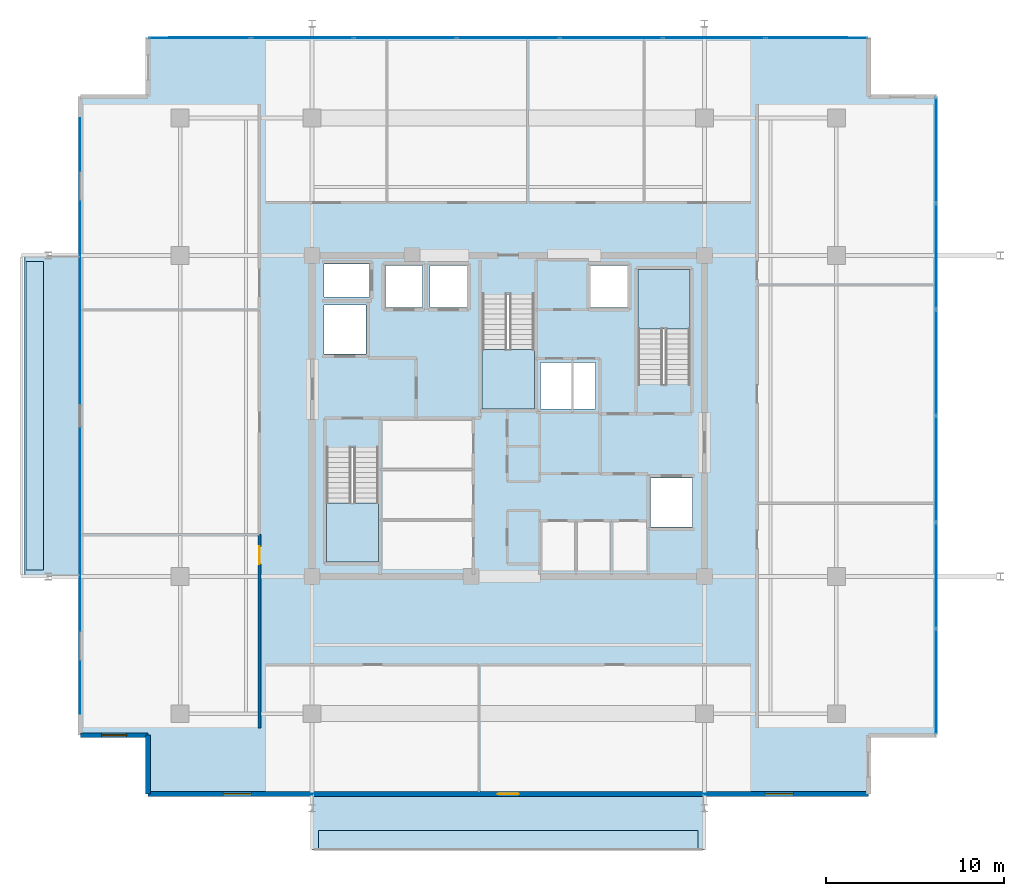
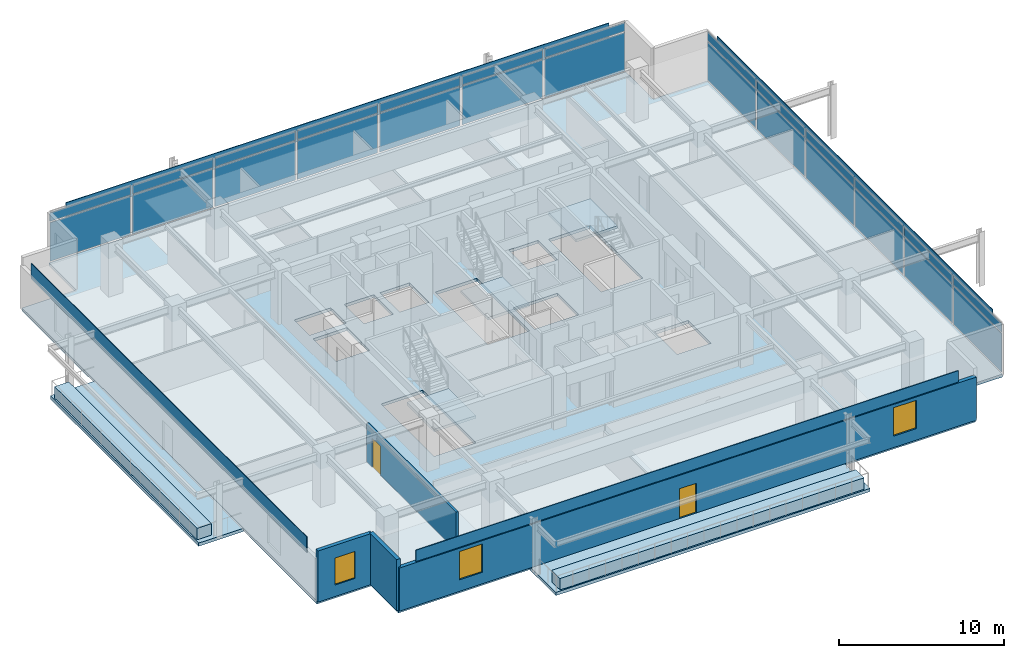
# One storey, part 12 of 20: 30 plates, 8 slabs, 4 walls, 3 windows, 2 doors, 5 openings, 5 elements without a shape of their own.
"""IFC4 building model written with IfcOpenShell, lengths in metres."""

import ifcopenshell
import ifcopenshell.guid

model = None  # the IFC model being written
_history = None  # IfcOwnerHistory: only IFC2X3 demands one
_inside = {}  # id of a spatial element -> (the spatial element, [elements in it])
_under = {}  # id of a project, library or spatial element -> (it, [spatial elements below it])
_declared = {}  # id of a project -> (the project, [libraries it declares])
_typed = {}  # id of a type object -> (the type object, [elements of that type])
_made_of = {}  # id of a material, layer set ... -> (it, [elements and type objects made of it])


def new_model(schema):
    """Start an empty IFC model of exactly this schema.

    Asked for "IFC4X3", IfcOpenShell would pick the latest addendum, in which some entities
    have other attributes; the version numbers below select the first issue.
    IFC2X3 requires an IfcOwnerHistory on every rooted entity: one is made here for all.
    """
    global model, _history
    if schema == "IFC4X3":
        model = ifcopenshell.file(schema_version=(4, 3, 0, 0))
    else:
        model = ifcopenshell.file(schema=schema)
    _inside.clear()
    _under.clear()
    _declared.clear()
    _typed.clear()
    _made_of.clear()
    _history = None
    if model.schema == "IFC2X3":
        org = make("IfcOrganization", Name="unknown")
        user = make(
            "IfcPersonAndOrganization",
            ThePerson=make("IfcPerson", FamilyName="unknown"),
            TheOrganization=org,
        )
        app = make(
            "IfcApplication",
            ApplicationDeveloper=org,
            Version="unknown",
            ApplicationFullName="unknown",
            ApplicationIdentifier="unknown",
        )
        _history = make(
            "IfcOwnerHistory",
            OwningUser=user,
            OwningApplication=app,
            ChangeAction="ADDED",
            CreationDate=0,
        )
    return model


def make(cls, **values):
    """One entity of the class cls with the attributes given. An attribute that is None is left unset."""
    return model.create_entity(
        cls, **{name: value for name, value in values.items() if value is not None}
    )


def rooted(cls, **values):
    """An entity with a GlobalId (a new one), such as an element, a storey or a relation."""
    return make(cls, GlobalId=ifcopenshell.guid.new(), OwnerHistory=_history, **values)


def si_unit(unit_type, name, prefix=None):
    """IfcSIUnit, for example si_unit("LENGTHUNIT", "METRE", prefix="MILLI")."""
    return make("IfcSIUnit", UnitType=unit_type, Prefix=prefix, Name=name)


def assignment(units):
    """IfcUnitAssignment: the units of a project."""
    return None if units is None else make("IfcUnitAssignment", Units=units)


def point(xyz):
    """IfcCartesianPoint."""
    return None if xyz is None else make("IfcCartesianPoint", Coordinates=xyz)


def direction(xyz):
    """IfcDirection."""
    return None if xyz is None else make("IfcDirection", DirectionRatios=xyz)


def frame(location, z_axis=None, x_axis=None):
    """IfcAxis2Placement3D, a coordinate frame: its origin and axes. An axis left out is left unset."""
    return make(
        "IfcAxis2Placement3D",
        Location=point(location),
        Axis=direction(z_axis),
        RefDirection=direction(x_axis),
    )


def frame_2d(location, x_axis=None):
    """IfcAxis2Placement2D, a coordinate frame in the plane: its origin and x axis."""
    return make(
        "IfcAxis2Placement2D", Location=point(location), RefDirection=direction(x_axis)
    )


def origin():
    """The frame at (0, 0, 0) with its axes left unset."""
    return frame((0.0, 0.0, 0.0))


def origin_2d():
    """The frame at (0, 0) in the plane with its x axis left unset."""
    return frame_2d((0.0, 0.0))


def place(relative_to, where):
    """IfcLocalPlacement: puts the frame where relative to a parent placement (None: the world)."""
    return make(
        "IfcLocalPlacement", PlacementRelTo=relative_to, RelativePlacement=where
    )


def context(
    kind, dimensions, precision=None, world=None, true_north=None, identifier=None
):
    """IfcGeometricRepresentationContext, for example the 3D "Model" context."""
    return make(
        "IfcGeometricRepresentationContext",
        ContextIdentifier=identifier,
        ContextType=kind,
        CoordinateSpaceDimension=dimensions,
        Precision=precision,
        WorldCoordinateSystem=world,
        TrueNorth=true_north,
    )


def subcontext(parent, identifier, kind, view, scale=None):
    """IfcGeometricRepresentationSubContext, for example "Body" below "Model"."""
    return make(
        "IfcGeometricRepresentationSubContext",
        ContextIdentifier=identifier,
        ContextType=kind,
        ParentContext=parent,
        TargetScale=scale,
        TargetView=view,
    )


def project(units=None, contexts=None):
    """IfcProject with its units and contexts."""
    return rooted(
        "IfcProject",
        Name="project",
        RepresentationContexts=contexts,
        UnitsInContext=assignment(units),
    )


def spatial(cls, under=None, at=None, **own):
    """A site, building, storey or space (cls), placed at a placement, below another one or the project."""
    s = rooted(cls, ObjectPlacement=at, **own)
    if under is not None:
        _under.setdefault(under.id(), (under, []))[1].append(s)
    return s


def polyline(points):
    """IfcPolyline through the points."""
    return make("IfcPolyline", Points=[point(p) for p in points])


def profile(cls, at=None, kind="AREA", **sizes):
    """A parametric profile (cls). Its sizes go by their IFC names, for example OverallWidth=200.0."""
    return make(cls, ProfileType=kind, Position=at, **sizes)


def rectangle(**sizes):
    """IfcRectangleProfileDef."""
    return profile("IfcRectangleProfileDef", **sizes)


def outline(outer, holes=None, kind="AREA"):
    """IfcArbitraryClosedProfileDef: a profile drawn as a closed curve; with holes, ...WithVoids."""
    if holes is None:
        return make("IfcArbitraryClosedProfileDef", ProfileType=kind, OuterCurve=outer)
    return make(
        "IfcArbitraryProfileDefWithVoids",
        ProfileType=kind,
        OuterCurve=outer,
        InnerCurves=holes,
    )


def extrude(swept, where, along, depth):
    """IfcExtrudedAreaSolid: the profile swept, set in the frame where, extruded along a direction by depth."""
    return make(
        "IfcExtrudedAreaSolid",
        SweptArea=swept,
        Position=where,
        ExtrudedDirection=direction(along),
        Depth=depth,
    )


def shape(context_of_items, identifier, shape_type, items):
    """IfcShapeRepresentation: the items that make up one representation, for example the "Body"."""
    return make(
        "IfcShapeRepresentation",
        ContextOfItems=context_of_items,
        RepresentationIdentifier=identifier,
        RepresentationType=shape_type,
        Items=items,
    )


def material(Name=None, Category=None):
    """IfcMaterial."""
    return make("IfcMaterial", Name=Name, Category=Category)


def layer(
    of_material, thickness, ventilated=None, Name=None, Category=None, Priority=None
):
    """IfcMaterialLayer: one layer of a wall or slab, of a material (None: an air gap)."""
    return make(
        "IfcMaterialLayer",
        Material=of_material,
        LayerThickness=thickness,
        IsVentilated=ventilated,
        Name=Name,
        Category=Category,
        Priority=Priority,
    )


def layer_set(layers, Name=None):
    """IfcMaterialLayerSet."""
    return make("IfcMaterialLayerSet", MaterialLayers=layers, LayerSetName=Name)


def made_of(thing, what):
    """Note that an element or type object is made of a material, layer set ...; save() writes the relation."""
    if what is not None:
        _made_of.setdefault(what.id(), (what, []))[1].append(thing)
    return thing


def type_object(cls, material=None, **own):
    """A type object (cls), such as IfcWallType, which elements share."""
    return made_of(rooted(cls, **own), material)


def element(
    cls,
    number,
    at=None,
    inside=None,
    cuts=None,
    type_object=None,
    material=None,
    context=None,
    identifier="Body",
    shape_type=None,
    held_by="IfcProductDefinitionShape",
    body=None,
    shapes=None,
    **own,
):
    """One element of the class cls, such as IfcWall. Its Tag is "e" and its number.

    at: its placement. inside: the storey or other place that contains it. cuts: it is an
    opening in that element (IfcRelVoidsElement). A single representation is given by context,
    identifier, shape_type and body (its items); several are given by shapes. held_by: the class
    of the entity that holds the representations. save() writes the other relations.
    """
    e = rooted(cls, Tag="e%d" % number, ObjectPlacement=at, **own)
    if body is not None:
        shapes = [shape(context, identifier, shape_type, body)]
    if shapes is not None:
        e.Representation = make(held_by, Representations=shapes)
    if inside is not None:
        _inside.setdefault(inside.id(), (inside, []))[1].append(e)
    if cuts is not None:
        rooted(
            "IfcRelVoidsElement", RelatingBuildingElement=cuts, RelatedOpeningElement=e
        )
    if type_object is not None:
        _typed.setdefault(type_object.id(), (type_object, []))[1].append(e)
    return made_of(e, material)


def fill(opening, filler):
    """IfcRelFillsElement: the door or window that sits in an opening."""
    return rooted(
        "IfcRelFillsElement",
        RelatingOpeningElement=opening,
        RelatedBuildingElement=filler,
    )


def aggregate(whole, parts):
    """IfcRelAggregates: a whole, such as a stair, and the parts it consists of."""
    return rooted("IfcRelAggregates", RelatingObject=whole, RelatedObjects=parts)


def save(model, path):
    """Write the relations noted so far, then the file.

    IfcRelAggregates (storeys below a building ...), IfcRelContainedInSpatialStructure (elements
    in a storey), IfcRelDefinesByType, IfcRelAssociatesMaterial and IfcRelDeclares: one each for
    every whole, place, type object, material and project.
    """
    for whole, parts in _under.values():
        aggregate(whole, parts)
    for where, things in _inside.values():
        rooted(
            "IfcRelContainedInSpatialStructure",
            RelatedElements=things,
            RelatingStructure=where,
        )
    for kind, things in _typed.values():
        rooted("IfcRelDefinesByType", RelatedObjects=things, RelatingType=kind)
    for what, things in _made_of.values():
        rooted("IfcRelAssociatesMaterial", RelatedObjects=things, RelatingMaterial=what)
    for by, libraries in _declared.values():
        rooted("IfcRelDeclares", RelatingContext=by, RelatedDefinitions=libraries)
    model.write(path)


model = new_model("IFC4")

# Units and contexts
model_context = context("Model", 3, precision=1e-05, world=origin(), true_north=direction((0.0, 1.0)))
body_context = subcontext(model_context, "Body", "Model", "MODEL_VIEW")
ifc_project = project(units=[si_unit("LENGTHUNIT", "METRE"), si_unit("AREAUNIT", "SQUARE_METRE"), si_unit("VOLUMEUNIT", "CUBIC_METRE"), si_unit("PLANEANGLEUNIT", "RADIAN"), si_unit("MASSUNIT", "GRAM", prefix="KILO")], contexts=[model_context])

# Site, building, storey
site_placement = place(None, origin())
site = spatial("IfcSite", under=ifc_project, at=site_placement, CompositionType="ELEMENT")
building_placement = place(site_placement, origin())
building = spatial("IfcBuilding", under=site, at=building_placement, Name="Kovane Verandah Tower", CompositionType="ELEMENT")
storey_placement = place(building_placement, frame((0.0, 0.0, 306.800048828125)))
storey = spatial("IfcBuildingStorey", under=building, at=storey_placement, Name="L71", CompositionType="ELEMENT", Elevation=306.800048828125)

# Curtain wall, plates
ifc_material_1 = material(Name="Champagne Anodised Aluminium Frame with Low-E Clear Laminated Glass", Category="aluminium")
curtain_wall_type = type_object("IfcCurtainWallType", Name="CW-SYS-05-HIGH", PredefinedType="NOTDEFINED", material=ifc_material_1)
curtain_wall_1_placement = place(storey_placement, origin())
curtain_wall_1 = element("IfcCurtainWall", 1, at=curtain_wall_1_placement, inside=storey, type_object=curtain_wall_type, Name="L71 E Unitised Curtain Wall", PredefinedType="NOTDEFINED")
ifc_material_2 = material(Name="Pale Champagne Anodised Aluminium Insulated Spandrel", Category="aluminium")
ifc_layer_1 = layer(ifc_material_2, 0.0400390625)
ifc_layer_set_1 = layer_set([ifc_layer_1], Name="Pale Champagne Anodised Aluminium Insulated Spandrel")
plate_type_1 = type_object("IfcPlateType", Name="PL-CW-SPD-40", PredefinedType="SHEET", material=ifc_layer_set_1)
plate_1_placement = place(storey_placement, frame((64.0, 12.583251953125, 3.05517578125), z_axis=(0.0, 0.0, 1.0), x_axis=(0.0, 1.0, 0.0)))
plate_1 = element("IfcPlate", 2, at=plate_1_placement, type_object=plate_type_1, Name="L71 E Unitised Curtain Wall Spandrel Panel 1", PredefinedType="SHEET", context=body_context, shape_type="SweptSolid", body=[
    extrude(rectangle(XDim=5.82666015625, YDim=0.0400390625, at=origin_2d()), origin(), (0.0, 0.0, 1.0), 0.639892578125),
])
plate_2_placement = place(storey_placement, frame((64.0, 18.550048828125, 3.05517578125), z_axis=(0.0, 0.0, 1.0), x_axis=(0.0, 1.0, 0.0)))
plate_2 = element("IfcPlate", 3, at=plate_2_placement, type_object=plate_type_1, Name="L71 E Unitised Curtain Wall Spandrel Panel 2", PredefinedType="SHEET", context=body_context, shape_type="SweptSolid", body=[
    extrude(rectangle(XDim=5.82666015625, YDim=0.0400390625, at=origin_2d()), origin(), (0.0, 0.0, 1.0), 0.639892578125),
])
plate_3_placement = place(storey_placement, frame((64.0, 24.5166015625, 3.05517578125), z_axis=(0.0, 0.0, 1.0), x_axis=(0.0, 1.0, 0.0)))
plate_3 = element("IfcPlate", 4, at=plate_3_placement, type_object=plate_type_1, Name="L71 E Unitised Curtain Wall Spandrel Panel 3", PredefinedType="SHEET", context=body_context, shape_type="SweptSolid", body=[
    extrude(rectangle(XDim=5.82666015625, YDim=0.0400390625, at=origin_2d()), origin(), (0.0, 0.0, 1.0), 0.639892578125),
])
plate_4_placement = place(storey_placement, frame((64.0, 30.4833984375, 3.05517578125), z_axis=(0.0, 0.0, 1.0), x_axis=(0.0, 1.0, 0.0)))
plate_4 = element("IfcPlate", 5, at=plate_4_placement, type_object=plate_type_1, Name="L71 E Unitised Curtain Wall Spandrel Panel 4", PredefinedType="SHEET", context=body_context, shape_type="SweptSolid", body=[
    extrude(rectangle(XDim=5.82666015625, YDim=0.0400390625, at=origin_2d()), origin(), (0.0, 0.0, 1.0), 0.639892578125),
])
plate_5_placement = place(storey_placement, frame((64.0, 36.449951171875, 3.05517578125), z_axis=(0.0, 0.0, 1.0), x_axis=(0.0, 1.0, 0.0)))
plate_5 = element("IfcPlate", 6, at=plate_5_placement, type_object=plate_type_1, Name="L71 E Unitised Curtain Wall Spandrel Panel 5", PredefinedType="SHEET", context=body_context, shape_type="SweptSolid", body=[
    extrude(rectangle(XDim=5.82666015625, YDim=0.0400390625, at=origin_2d()), origin(), (0.0, 0.0, 1.0), 0.639892578125),
])
plate_6_placement = place(storey_placement, frame((64.0, 42.416748046875, 3.05517578125), z_axis=(0.0, 0.0, 1.0), x_axis=(0.0, 1.0, 0.0)))
plate_6 = element("IfcPlate", 7, at=plate_6_placement, type_object=plate_type_1, Name="L71 E Unitised Curtain Wall Spandrel Panel 6", PredefinedType="SHEET", context=body_context, shape_type="SweptSolid", body=[
    extrude(rectangle(XDim=5.82666015625, YDim=0.0400390625, at=origin_2d()), origin(), (0.0, 0.0, 1.0), 0.639892578125),
])

curtain_wall_2_placement = place(storey_placement, origin())
curtain_wall_2 = element("IfcCurtainWall", 8, at=curtain_wall_2_placement, inside=storey, type_object=curtain_wall_type, Name="L71 N Unitised Curtain Wall", PredefinedType="NOTDEFINED")
plate_7_placement = place(storey_placement, frame((57.314208984375, 48.699951171875, 3.05517578125), z_axis=(0.0, 0.0, 1.0), x_axis=(-1.0, 0.0, 0.0)))
plate_7 = element("IfcPlate", 9, at=plate_7_placement, type_object=plate_type_1, Name="L71 N Unitised Curtain Wall Spandrel Panel 1", PredefinedType="SHEET", context=body_context, shape_type="SweptSolid", body=[
    extrude(rectangle(XDim=5.63134765625, YDim=0.0400390625, at=origin_2d()), origin(), (0.0, 0.0, 1.0), 0.639892578125),
])
plate_8_placement = place(storey_placement, frame((51.54296875, 48.699951171875, 3.05517578125), z_axis=(0.0, 0.0, 1.0), x_axis=(-1.0, 0.0, 0.0)))
plate_8 = element("IfcPlate", 10, at=plate_8_placement, type_object=plate_type_1, Name="L71 N Unitised Curtain Wall Spandrel Panel 2", PredefinedType="SHEET", context=body_context, shape_type="SweptSolid", body=[
    extrude(rectangle(XDim=5.63134765625, YDim=0.0400390625, at=origin_2d()), origin(), (0.0, 0.0, 1.0), 0.639892578125),
])
plate_9_placement = place(storey_placement, frame((45.771484375, 48.699951171875, 3.05517578125), z_axis=(0.0, 0.0, 1.0), x_axis=(-1.0, 0.0, 0.0)))
plate_9 = element("IfcPlate", 11, at=plate_9_placement, type_object=plate_type_1, Name="L71 N Unitised Curtain Wall Spandrel Panel 3", PredefinedType="SHEET", context=body_context, shape_type="SweptSolid", body=[
    extrude(rectangle(XDim=5.63134765625, YDim=0.0400390625, at=origin_2d()), origin(), (0.0, 0.0, 1.0), 0.639892578125),
])
plate_10_placement = place(storey_placement, frame((40.0, 48.699951171875, 3.05517578125), z_axis=(0.0, 0.0, 1.0), x_axis=(-1.0, 0.0, 0.0)))
plate_10 = element("IfcPlate", 12, at=plate_10_placement, type_object=plate_type_1, Name="L71 N Unitised Curtain Wall Spandrel Panel 4", PredefinedType="SHEET", context=body_context, shape_type="SweptSolid", body=[
    extrude(rectangle(XDim=5.63134765625, YDim=0.0400390625, at=origin_2d()), origin(), (0.0, 0.0, 1.0), 0.639892578125),
])
plate_11_placement = place(storey_placement, frame((34.228515625, 48.699951171875, 3.05517578125), z_axis=(0.0, 0.0, 1.0), x_axis=(-1.0, 0.0, 0.0)))
plate_11 = element("IfcPlate", 13, at=plate_11_placement, type_object=plate_type_1, Name="L71 N Unitised Curtain Wall Spandrel Panel 5", PredefinedType="SHEET", context=body_context, shape_type="SweptSolid", body=[
    extrude(rectangle(XDim=5.63134765625, YDim=0.0400390625, at=origin_2d()), origin(), (0.0, 0.0, 1.0), 0.639892578125),
])
plate_12_placement = place(storey_placement, frame((28.45703125, 48.699951171875, 3.05517578125), z_axis=(0.0, 0.0, 1.0), x_axis=(-1.0, 0.0, 0.0)))
plate_12 = element("IfcPlate", 14, at=plate_12_placement, type_object=plate_type_1, Name="L71 N Unitised Curtain Wall Spandrel Panel 6", PredefinedType="SHEET", context=body_context, shape_type="SweptSolid", body=[
    extrude(rectangle(XDim=5.63134765625, YDim=0.0400390625, at=origin_2d()), origin(), (0.0, 0.0, 1.0), 0.639892578125),
])
plate_13_placement = place(storey_placement, frame((22.685791015625, 48.699951171875, 3.05517578125), z_axis=(0.0, 0.0, 1.0), x_axis=(-1.0, 0.0, 0.0)))
plate_13 = element("IfcPlate", 15, at=plate_13_placement, type_object=plate_type_1, Name="L71 N Unitised Curtain Wall Spandrel Panel 7", PredefinedType="SHEET", context=body_context, shape_type="SweptSolid", body=[
    extrude(rectangle(XDim=5.63134765625, YDim=0.0400390625, at=origin_2d()), origin(), (0.0, 0.0, 1.0), 0.639892578125),
])

# Plate
ifc_material_3 = material(Name="Clear Low-E Laminated Double Glazing", Category="glass")
ifc_layer_2 = layer(ifc_material_3, 0.031982421875)
ifc_layer_set_2 = layer_set([ifc_layer_2], Name="Clear Low-E Laminated Double Glazing")
plate_type_2 = type_object("IfcPlateType", Name="PL-CW-VIS-32", PredefinedType="CURTAIN_PANEL", material=ifc_layer_set_2)
plate_14_placement = place(storey_placement, frame((64.0, 12.583251953125, 0.099853515625), z_axis=(0.0, 0.0, 1.0), x_axis=(0.0, 1.0, 0.0)))
plate_14 = element("IfcPlate", 16, at=plate_14_placement, type_object=plate_type_2, Name="L71 E Unitised Curtain Wall Vision Panel 1", PredefinedType="CURTAIN_PANEL", context=body_context, shape_type="SweptSolid", body=[
    extrude(rectangle(XDim=5.82666015625, YDim=0.031982421875, at=origin_2d()), origin(), (0.0, 0.0, 1.0), 2.85498046875),
])

plate_15_placement = place(storey_placement, frame((64.0, 18.550048828125, 0.099853515625), z_axis=(0.0, 0.0, 1.0), x_axis=(0.0, 1.0, 0.0)))
plate_15 = element("IfcPlate", 17, at=plate_15_placement, type_object=plate_type_2, Name="L71 E Unitised Curtain Wall Vision Panel 2", PredefinedType="CURTAIN_PANEL", context=body_context, shape_type="SweptSolid", body=[
    extrude(rectangle(XDim=5.82666015625, YDim=0.031982421875, at=origin_2d()), origin(), (0.0, 0.0, 1.0), 2.85498046875),
])

plate_16_placement = place(storey_placement, frame((64.0, 24.5166015625, 0.099853515625), z_axis=(0.0, 0.0, 1.0), x_axis=(0.0, 1.0, 0.0)))
plate_16 = element("IfcPlate", 18, at=plate_16_placement, type_object=plate_type_2, Name="L71 E Unitised Curtain Wall Vision Panel 3", PredefinedType="CURTAIN_PANEL", context=body_context, shape_type="SweptSolid", body=[
    extrude(rectangle(XDim=5.82666015625, YDim=0.031982421875, at=origin_2d()), origin(), (0.0, 0.0, 1.0), 2.85498046875),
])

plate_17_placement = place(storey_placement, frame((64.0, 30.4833984375, 0.099853515625), z_axis=(0.0, 0.0, 1.0), x_axis=(0.0, 1.0, 0.0)))
plate_17 = element("IfcPlate", 19, at=plate_17_placement, type_object=plate_type_2, Name="L71 E Unitised Curtain Wall Vision Panel 4", PredefinedType="CURTAIN_PANEL", context=body_context, shape_type="SweptSolid", body=[
    extrude(rectangle(XDim=5.82666015625, YDim=0.031982421875, at=origin_2d()), origin(), (0.0, 0.0, 1.0), 2.85498046875),
])

plate_18_placement = place(storey_placement, frame((64.0, 36.449951171875, 0.099853515625), z_axis=(0.0, 0.0, 1.0), x_axis=(0.0, 1.0, 0.0)))
plate_18 = element("IfcPlate", 20, at=plate_18_placement, type_object=plate_type_2, Name="L71 E Unitised Curtain Wall Vision Panel 5", PredefinedType="CURTAIN_PANEL", context=body_context, shape_type="SweptSolid", body=[
    extrude(rectangle(XDim=5.82666015625, YDim=0.031982421875, at=origin_2d()), origin(), (0.0, 0.0, 1.0), 2.85498046875),
])

plate_19_placement = place(storey_placement, frame((64.0, 42.416748046875, 0.099853515625), z_axis=(0.0, 0.0, 1.0), x_axis=(0.0, 1.0, 0.0)))
plate_19 = element("IfcPlate", 21, at=plate_19_placement, type_object=plate_type_2, Name="L71 E Unitised Curtain Wall Vision Panel 6", PredefinedType="CURTAIN_PANEL", context=body_context, shape_type="SweptSolid", body=[
    extrude(rectangle(XDim=5.82666015625, YDim=0.031982421875, at=origin_2d()), origin(), (0.0, 0.0, 1.0), 2.85498046875),
])

aggregate(curtain_wall_1, [plate_14, plate_1, plate_15, plate_2, plate_16, plate_3, plate_17, plate_4, plate_18, plate_5, plate_19, plate_6])

plate_20_placement = place(storey_placement, frame((57.314208984375, 48.699951171875, 0.099853515625), z_axis=(0.0, 0.0, 1.0), x_axis=(-1.0, 0.0, 0.0)))
plate_20 = element("IfcPlate", 22, at=plate_20_placement, type_object=plate_type_2, Name="L71 N Unitised Curtain Wall Vision Panel 1", PredefinedType="CURTAIN_PANEL", context=body_context, shape_type="SweptSolid", body=[
    extrude(rectangle(XDim=5.63134765625, YDim=0.031982421875, at=origin_2d()), origin(), (0.0, 0.0, 1.0), 2.85498046875),
])

plate_21_placement = place(storey_placement, frame((51.54296875, 48.699951171875, 0.099853515625), z_axis=(0.0, 0.0, 1.0), x_axis=(-1.0, 0.0, 0.0)))
plate_21 = element("IfcPlate", 23, at=plate_21_placement, type_object=plate_type_2, Name="L71 N Unitised Curtain Wall Vision Panel 2", PredefinedType="CURTAIN_PANEL", context=body_context, shape_type="SweptSolid", body=[
    extrude(rectangle(XDim=5.63134765625, YDim=0.031982421875, at=origin_2d()), origin(), (0.0, 0.0, 1.0), 2.85498046875),
])

plate_22_placement = place(storey_placement, frame((45.771484375, 48.699951171875, 0.099853515625), z_axis=(0.0, 0.0, 1.0), x_axis=(-1.0, 0.0, 0.0)))
plate_22 = element("IfcPlate", 24, at=plate_22_placement, type_object=plate_type_2, Name="L71 N Unitised Curtain Wall Vision Panel 3", PredefinedType="CURTAIN_PANEL", context=body_context, shape_type="SweptSolid", body=[
    extrude(rectangle(XDim=5.63134765625, YDim=0.031982421875, at=origin_2d()), origin(), (0.0, 0.0, 1.0), 2.85498046875),
])

plate_23_placement = place(storey_placement, frame((40.0, 48.699951171875, 0.099853515625), z_axis=(0.0, 0.0, 1.0), x_axis=(-1.0, 0.0, 0.0)))
plate_23 = element("IfcPlate", 25, at=plate_23_placement, type_object=plate_type_2, Name="L71 N Unitised Curtain Wall Vision Panel 4", PredefinedType="CURTAIN_PANEL", context=body_context, shape_type="SweptSolid", body=[
    extrude(rectangle(XDim=5.63134765625, YDim=0.031982421875, at=origin_2d()), origin(), (0.0, 0.0, 1.0), 2.85498046875),
])

plate_24_placement = place(storey_placement, frame((34.228515625, 48.699951171875, 0.099853515625), z_axis=(0.0, 0.0, 1.0), x_axis=(-1.0, 0.0, 0.0)))
plate_24 = element("IfcPlate", 26, at=plate_24_placement, type_object=plate_type_2, Name="L71 N Unitised Curtain Wall Vision Panel 5", PredefinedType="CURTAIN_PANEL", context=body_context, shape_type="SweptSolid", body=[
    extrude(rectangle(XDim=5.63134765625, YDim=0.031982421875, at=origin_2d()), origin(), (0.0, 0.0, 1.0), 2.85498046875),
])

plate_25_placement = place(storey_placement, frame((28.45703125, 48.699951171875, 0.099853515625), z_axis=(0.0, 0.0, 1.0), x_axis=(-1.0, 0.0, 0.0)))
plate_25 = element("IfcPlate", 27, at=plate_25_placement, type_object=plate_type_2, Name="L71 N Unitised Curtain Wall Vision Panel 6", PredefinedType="CURTAIN_PANEL", context=body_context, shape_type="SweptSolid", body=[
    extrude(rectangle(XDim=5.63134765625, YDim=0.031982421875, at=origin_2d()), origin(), (0.0, 0.0, 1.0), 2.85498046875),
])

plate_26_placement = place(storey_placement, frame((22.685791015625, 48.699951171875, 0.099853515625), z_axis=(0.0, 0.0, 1.0), x_axis=(-1.0, 0.0, 0.0)))
plate_26 = element("IfcPlate", 28, at=plate_26_placement, type_object=plate_type_2, Name="L71 N Unitised Curtain Wall Vision Panel 7", PredefinedType="CURTAIN_PANEL", context=body_context, shape_type="SweptSolid", body=[
    extrude(rectangle(XDim=5.63134765625, YDim=0.031982421875, at=origin_2d()), origin(), (0.0, 0.0, 1.0), 2.85498046875),
])

aggregate(curtain_wall_2, [plate_20, plate_7, plate_21, plate_8, plate_22, plate_9, plate_23, plate_10, plate_24, plate_11, plate_25, plate_12, plate_26, plate_13])

# Plates
ifc_material_4 = material(Name="Perforated Pale Champagne Anodised Aluminium Solar Screen", Category="aluminium")
ifc_layer_3 = layer(ifc_material_4, 0.050048828125)
ifc_layer_set_3 = layer_set([ifc_layer_3], Name="Perforated Pale Champagne Anodised Aluminium Solar Screen")
plate_type_3 = type_object("IfcPlateType", Name="PL-SCREEN-50", PredefinedType="USERDEFINED", material=ifc_layer_set_3)
plate_27_placement = place(storey_placement, frame((40.0, 6.284912109375, 2.885009765625), z_axis=(0.0, 0.0, 1.0), x_axis=(1.0, 0.0, 0.0)))
element("IfcPlate", 29, at=plate_27_placement, inside=storey, type_object=plate_type_3, Name="L71 S Perforated Champagne-Gold Solar Screen", ObjectType="SCREEN", PredefinedType="USERDEFINED", context=body_context, shape_type="SweptSolid", body=[
    extrude(rectangle(XDim=38.0, YDim=0.050048828125, at=origin_2d()), origin(), (0.0, 0.0, 1.0), 1.14990234375),
])
plate_28_placement = place(storey_placement, frame((64.014892578125, 27.5, 2.885009765625), z_axis=(0.0, 0.0, 1.0), x_axis=(0.0, 1.0, 0.0)))
element("IfcPlate", 30, at=plate_28_placement, inside=storey, type_object=plate_type_3, Name="L71 E Perforated Champagne-Gold Solar Screen", ObjectType="SCREEN", PredefinedType="USERDEFINED", context=body_context, shape_type="SweptSolid", body=[
    extrude(rectangle(XDim=33.39990234375, YDim=0.050048828125, at=origin_2d()), origin(), (0.0, 0.0, 1.0), 1.14990234375),
])
plate_29_placement = place(storey_placement, frame((40.0, 48.715087890625, 2.885009765625), z_axis=(0.0, 0.0, 1.0), x_axis=(-1.0, 0.0, 0.0)))
element("IfcPlate", 31, at=plate_29_placement, inside=storey, type_object=plate_type_3, Name="L71 N Perforated Champagne-Gold Solar Screen", ObjectType="SCREEN", PredefinedType="USERDEFINED", context=body_context, shape_type="SweptSolid", body=[
    extrude(rectangle(XDim=38.0, YDim=0.050048828125, at=origin_2d()), origin(), (0.0, 0.0, 1.0), 1.14990234375),
])
plate_30_placement = place(storey_placement, frame((15.985107421875, 27.5, 2.885009765625), z_axis=(0.0, 0.0, 1.0), x_axis=(0.0, -1.0, 0.0)))
element("IfcPlate", 32, at=plate_30_placement, inside=storey, type_object=plate_type_3, Name="L71 W Perforated Champagne-Gold Solar Screen", ObjectType="SCREEN", PredefinedType="USERDEFINED", context=body_context, shape_type="SweptSolid", body=[
    extrude(rectangle(XDim=33.39990234375, YDim=0.050048828125, at=origin_2d()), origin(), (0.0, 0.0, 1.0), 1.14990234375),
])

# Slabs
ifc_material_5 = material(Name="Concrete C45/55", Category="concrete")
ifc_layer_4 = layer(ifc_material_5, 0.239990234375)
ifc_layer_set_4 = layer_set([ifc_layer_4], Name="Concrete C45/55")
slab_type_1 = type_object("IfcSlabType", Name="SL-BALC-240", PredefinedType="FLOOR", material=ifc_layer_set_4)
slab_1_placement = place(storey_placement, frame((0.0, 0.0, -0.239990234375)))
element("IfcSlab", 33, at=slab_1_placement, inside=storey, type_object=slab_type_1, Name="L71 S Planted Verandah Balcony Slab", PredefinedType="FLOOR", context=body_context, shape_type="SweptSolid", body=[
    extrude(outline(polyline([(29.0, 3.14990234375), (51.0, 3.14990234375), (51.0, 6.300048828125), (29.0, 6.300048828125), (29.0, 3.14990234375)])), origin(), (0.0, 0.0, 1.0), 0.239990234375),
])
slab_2_placement = place(storey_placement, frame((0.0, 0.0, -0.239990234375)))
element("IfcSlab", 34, at=slab_2_placement, inside=storey, type_object=slab_type_1, Name="L71 W Planted Verandah Balcony Slab", PredefinedType="FLOOR", context=body_context, shape_type="SweptSolid", body=[
    extrude(outline(polyline([(12.85009765625, 18.5), (16.0, 18.5), (16.0, 36.5), (12.85009765625, 36.5), (12.85009765625, 18.5)])), origin(), (0.0, 0.0, 1.0), 0.239990234375),
])
ifc_layer_5 = layer(ifc_material_5, 0.215087890625)
ifc_layer_set_5 = layer_set([ifc_layer_5], Name="Concrete C45/55")
slab_type_2 = type_object("IfcSlabType", Name="SL-HIGH-215", PredefinedType="FLOOR", material=ifc_layer_set_5)
slab_3_placement = place(storey_placement, frame((0.0, 0.0, -0.215087890625)))
element("IfcSlab", 35, at=slab_3_placement, inside=storey, type_object=slab_type_2, Name="L71 Structural Floor Slab", PredefinedType="FLOOR", context=body_context, shape_type="SweptSolid", body=[
    extrude(outline(polyline([(19.800048828125, 6.300048828125), (60.199951171875, 6.300048828125), (60.199951171875, 9.60009765625), (64.0, 9.60009765625), (64.0, 45.39990234375), (60.199951171875, 45.39990234375), (60.199951171875, 48.699951171875), (19.800048828125, 48.699951171875), (19.800048828125, 45.39990234375), (16.0, 45.39990234375), (16.0, 9.60009765625), (19.800048828125, 9.60009765625), (19.800048828125, 6.300048828125)]), holes=[polyline([(29.800048828125, 19.300048828125), (32.719970703125, 19.300048828125), (32.719970703125, 25.705078125), (29.800048828125, 25.705078125), (29.800048828125, 19.300048828125)]), polyline([(47.280029296875, 29.294921875), (50.199951171875, 29.294921875), (50.199951171875, 35.699951171875), (47.280029296875, 35.699951171875), (47.280029296875, 29.294921875)]), polyline([(38.5400390625, 27.89990234375), (41.4599609375, 27.89990234375), (41.4599609375, 34.304931640625), (38.5400390625, 34.304931640625), (38.5400390625, 27.89990234375)]), polyline([(29.669921875, 30.969970703125), (32.030029296875, 30.969970703125), (32.030029296875, 33.72998046875), (29.669921875, 33.72998046875), (29.669921875, 30.969970703125)]), polyline([(47.969970703125, 21.27001953125), (50.330078125, 21.27001953125), (50.330078125, 24.030029296875), (47.969970703125, 24.030029296875), (47.969970703125, 21.27001953125)]), polyline([(29.669921875, 34.169921875), (32.22998046875, 34.169921875), (32.22998046875, 36.030029296875), (29.669921875, 36.030029296875), (29.669921875, 34.169921875)]), polyline([(33.1201171875, 33.570068359375), (35.179931640625, 33.570068359375), (35.179931640625, 35.929931640625), (33.1201171875, 35.929931640625), (33.1201171875, 33.570068359375)]), polyline([(35.6201171875, 33.570068359375), (37.679931640625, 33.570068359375), (37.679931640625, 35.929931640625), (35.6201171875, 35.929931640625), (35.6201171875, 33.570068359375)]), polyline([(44.6201171875, 33.570068359375), (46.679931640625, 33.570068359375), (46.679931640625, 35.929931640625), (44.6201171875, 35.929931640625), (44.6201171875, 33.570068359375)]), polyline([(41.800048828125, 27.89990234375), (44.89990234375, 27.89990234375), (44.89990234375, 30.5), (41.800048828125, 30.5), (41.800048828125, 27.89990234375)])]), origin(), (0.0, 0.0, 1.0), 0.215087890625),
])

# Stair, slab
stair_type = type_object("IfcStairType", Name="ST-CORE-1380", PredefinedType="HALF_TURN_STAIR", material=ifc_material_5)
stair_1_placement = place(storey_placement, origin())
stair_1 = element("IfcStair", 36, at=stair_1_placement, inside=storey, type_object=stair_type, Name="L71 Exit Stair ST-01", PredefinedType="HALF_TURN_STAIR")
ifc_layer_6 = layer(ifc_material_5, 0.199951171875)
ifc_layer_set_6 = layer_set([ifc_layer_6], Name="Concrete C45/55")
slab_type_3 = type_object("IfcSlabType", Name="SL-LAND-200", PredefinedType="LANDING", material=ifc_layer_set_6)
slab_4_placement = place(storey_placement, frame((0.0, 0.0, 1.800048828125)))
slab_4 = element("IfcSlab", 37, at=slab_4_placement, type_object=slab_type_3, Name="ST-01 landing 1", PredefinedType="LANDING", context=body_context, shape_type="SweptSolid", body=[
    extrude(outline(polyline([(29.800048828125, 22.614990234375), (29.800048828125, 19.300048828125), (32.719970703125, 19.300048828125), (32.719970703125, 22.614990234375), (29.800048828125, 22.614990234375)])), origin(), (0.0, 0.0, 1.0), 0.199951171875),
])
aggregate(stair_1, [slab_4])

stair_2_placement = place(storey_placement, origin())
stair_2 = element("IfcStair", 38, at=stair_2_placement, inside=storey, type_object=stair_type, Name="L71 Exit Stair ST-02", PredefinedType="HALF_TURN_STAIR")
slab_5_placement = place(storey_placement, frame((0.0, 0.0, 1.800048828125)))
slab_5 = element("IfcSlab", 39, at=slab_5_placement, type_object=slab_type_3, Name="ST-02 landing 1", PredefinedType="LANDING", context=body_context, shape_type="SweptSolid", body=[
    extrude(outline(polyline([(50.199951171875, 32.385009765625), (50.199951171875, 35.699951171875), (47.280029296875, 35.699951171875), (47.280029296875, 32.385009765625), (50.199951171875, 32.385009765625)])), origin(), (0.0, 0.0, 1.0), 0.199951171875),
])
aggregate(stair_2, [slab_5])

stair_3_placement = place(storey_placement, origin())
stair_3 = element("IfcStair", 40, at=stair_3_placement, inside=storey, type_object=stair_type, Name="L71 Exit Stair ST-03", PredefinedType="HALF_TURN_STAIR")
slab_6_placement = place(storey_placement, frame((0.0, 0.0, 1.800048828125)))
slab_6 = element("IfcSlab", 41, at=slab_6_placement, type_object=slab_type_3, Name="ST-03 landing 1", PredefinedType="LANDING", context=body_context, shape_type="SweptSolid", body=[
    extrude(outline(polyline([(38.5400390625, 31.215087890625), (38.5400390625, 27.89990234375), (41.4599609375, 27.89990234375), (41.4599609375, 31.215087890625), (38.5400390625, 31.215087890625)])), origin(), (0.0, 0.0, 1.0), 0.199951171875),
])
aggregate(stair_3, [slab_6])

# Slabs
ifc_material_6 = material(Name="Architectural Precast Concrete C45/55 Planter Trough", Category="concrete")
ifc_layer_7 = layer(ifc_material_6, 0.219970703125)
ifc_layer_set_7 = layer_set([ifc_layer_7], Name="Architectural Precast Concrete C45/55 Planter Trough")
slab_type_4 = type_object("IfcSlabType", Name="SL-PLANTER-220", PredefinedType="USERDEFINED", material=ifc_layer_set_7)
slab_7_placement = place(storey_placement, origin())
element("IfcSlab", 42, at=slab_7_placement, inside=storey, type_object=slab_type_4, Name="L71 S Structural Tree Planter", ObjectType="PLANTER", PredefinedType="USERDEFINED", context=body_context, shape_type="SweptSolid", body=[
    extrude(outline(polyline([(29.35009765625, 3.25), (50.64990234375, 3.25), (50.64990234375, 4.25), (29.35009765625, 4.25), (29.35009765625, 3.25)])), origin(), (0.0, 0.0, 1.0), 0.849853515625),
])
slab_8_placement = place(storey_placement, origin())
element("IfcSlab", 43, at=slab_8_placement, inside=storey, type_object=slab_type_4, Name="L71 W Structural Tree Planter", ObjectType="PLANTER", PredefinedType="USERDEFINED", context=body_context, shape_type="SweptSolid", body=[
    extrude(outline(polyline([(12.949951171875, 18.85009765625), (13.949951171875, 18.85009765625), (13.949951171875, 36.14990234375), (12.949951171875, 36.14990234375), (12.949951171875, 18.85009765625)])), origin(), (0.0, 0.0, 1.0), 0.849853515625),
])

# Wall, opening, door
ifc_material_7 = material(Name="Fire-Rated Gypsum Stud Partition", Category="gypsum")
ifc_layer_8 = layer(ifc_material_7, 0.14990234375)
ifc_layer_set_8 = layer_set([ifc_layer_8], Name="Fire-Rated Gypsum Stud Partition")
wall_type_1 = type_object("IfcWallType", Name="WL-COR-150", PredefinedType="PARTITIONING", material=ifc_layer_set_8)
wall_1_placement = place(storey_placement, frame((26.050048828125, 10.0, 0.0), z_axis=(0.0, 0.0, 1.0), x_axis=(0.0, 1.0, 0.0)))
wall_1 = element("IfcWall", 44, at=wall_1_placement, inside=storey, type_object=wall_type_1, Name="L71 Open Plan Office W1 Corridor Partition", PredefinedType="PARTITIONING", context=body_context, shape_type="SweptSolid", body=[
    extrude(rectangle(XDim=10.85009765625, YDim=0.14990234375, at=frame_2d((5.425048828125, 0.0))), origin(), (0.0, 0.0, 1.0), 2.849853515625),
])
opening_1_placement = place(wall_1_placement, frame((9.18994140625, 0.0, 0.0)))
opening_1 = element("IfcOpeningElement", 45, at=opening_1_placement, cuts=wall_1, Name="Opening DR-L71-033", PredefinedType="OPENING", context=body_context, shape_type="SweptSolid", body=[
    extrude(rectangle(XDim=1.0, YDim=2.14990234375, at=frame_2d((0.5, 1.074951171875))), frame((0.0, 0.074951171875, 0.0), z_axis=(0.0, -1.0, 0.0), x_axis=(1.0, 0.0, 0.0)), (0.0, 0.0, 1.0), 0.14990234375),
])
ifc_material_8 = material(Name="FSC Spotted-Gum Timber Fire-Rated Office Door", Category="wood")
door_type_1 = type_object("IfcDoorType", Name="DR-OFF-1000", OperationType="SINGLE_SWING_LEFT", PredefinedType="DOOR", material=ifc_material_8)
door_1_placement = place(opening_1_placement, origin())
door_1 = element("IfcDoor", 46, at=door_1_placement, inside=storey, type_object=door_type_1, Name="L71 Open Plan Office W1 Entrance Door", OperationType="SINGLE_SWING_LEFT", OverallHeight=2.14990234375, OverallWidth=1.0, PredefinedType="DOOR", context=body_context, shape_type="SweptSolid", body=[
    extrude(rectangle(XDim=1.0, YDim=2.14990234375, at=frame_2d((0.5, 1.074951171875))), frame((0.0, 0.02490234375, 0.0), z_axis=(0.0, -1.0, 0.0), x_axis=(1.0, 0.0, 0.0)), (0.0, 0.0, 1.0), 0.050048828125),
])
fill(opening_1, door_1)

# Wall, openings, door, windows
ifc_material_9 = material(Name="Concrete C45/55 Insulated Spandrel Wall", Category="concrete")
ifc_layer_9 = layer(ifc_material_9, 0.260009765625)
ifc_layer_set_9 = layer_set([ifc_layer_9], Name="Concrete C45/55 Insulated Spandrel Wall")
wall_type_2 = type_object("IfcWallType", Name="WL-SPANDREL-260", PredefinedType="PARAPET", material=ifc_layer_set_9)
wall_2_placement = place(storey_placement, frame((19.800048828125, 6.300048828125, 0.0), z_axis=(0.0, 0.0, 1.0), x_axis=(1.0, 0.0, 0.0)))
wall_2 = element("IfcWall", 47, at=wall_2_placement, inside=storey, type_object=wall_type_2, Name="L71 S Verandah Access Facade Wall", PredefinedType="PARAPET", context=body_context, shape_type="SweptSolid", body=[
    extrude(rectangle(XDim=40.39990234375, YDim=0.260009765625, at=frame_2d((20.199951171875, 0.0))), origin(), (0.0, 0.0, 1.0), 3.195556640625),
])
opening_2_placement = place(wall_2_placement, frame((4.199951171875, 0.0, 0.85009765625)))
opening_2 = element("IfcOpeningElement", 48, at=opening_2_placement, cuts=wall_2, Name="Opening W-02", PredefinedType="OPENING", context=body_context, shape_type="SweptSolid", body=[
    extrude(rectangle(XDim=1.60009765625, YDim=2.10009765625, at=frame_2d((0.800048828125, 1.050048828125))), frame((0.0, 0.1298828125, 0.0), z_axis=(0.0, -1.0, 0.0), x_axis=(1.0, 0.0, 0.0)), (0.0, 0.0, 1.0), 0.260009765625),
])
opening_3_placement = place(wall_2_placement, frame((19.60009765625, 0.0, 0.0)))
opening_3 = element("IfcOpeningElement", 49, at=opening_3_placement, cuts=wall_2, Name="Opening DR-L71-001", PredefinedType="OPENING", context=body_context, shape_type="SweptSolid", body=[
    extrude(rectangle(XDim=1.199951171875, YDim=2.199951171875, at=frame_2d((0.60009765625, 1.10009765625))), frame((0.0, 0.1298828125, 0.0), z_axis=(0.0, -1.0, 0.0), x_axis=(1.0, 0.0, 0.0)), (0.0, 0.0, 1.0), 0.260009765625),
])
opening_4_placement = place(wall_2_placement, frame((34.60009765625, 0.0, 0.85009765625)))
opening_4 = element("IfcOpeningElement", 50, at=opening_4_placement, cuts=wall_2, Name="Opening W-02", PredefinedType="OPENING", context=body_context, shape_type="SweptSolid", body=[
    extrude(rectangle(XDim=1.60009765625, YDim=2.10009765625, at=frame_2d((0.800048828125, 1.050048828125))), frame((0.0, 0.1298828125, 0.0), z_axis=(0.0, -1.0, 0.0), x_axis=(1.0, 0.0, 0.0)), (0.0, 0.0, 1.0), 0.260009765625),
])
ifc_material_10 = material(Name="Cyclone-Rated Glazed Balcony Leaf Door", Category="aluminium")
door_type_2 = type_object("IfcDoorType", Name="DR-BAL-1200x2200", OperationType="SINGLE_SWING_LEFT", PredefinedType="DOOR", material=ifc_material_10)
door_2_placement = place(opening_3_placement, origin())
door_2 = element("IfcDoor", 51, at=door_2_placement, inside=storey, type_object=door_type_2, Name="L71 S Planted Balcony Access Door", OperationType="SINGLE_SWING_LEFT", OverallHeight=2.199951171875, OverallWidth=1.199951171875, PredefinedType="DOOR", context=body_context, shape_type="SweptSolid", body=[
    extrude(rectangle(XDim=1.199951171875, YDim=2.199951171875, at=frame_2d((0.60009765625, 1.10009765625))), frame((0.0, 0.02490234375, 0.0), z_axis=(0.0, -1.0, 0.0), x_axis=(1.0, 0.0, 0.0)), (0.0, 0.0, 1.0), 0.050048828125),
])
fill(opening_3, door_2)
ifc_material_11 = material(Name="Clear Low-E Laminated Double Glazing in Anodised Frame", Category="glass")
window_type_1 = type_object("IfcWindowType", Name="WN-OPER-1600x2100", PartitioningType="SINGLE_PANEL", PredefinedType="WINDOW", material=ifc_material_11)
window_1_placement = place(opening_2_placement, origin())
window_1 = element("IfcWindow", 52, at=window_1_placement, inside=storey, type_object=window_type_1, Name="L71 S Verandah View Window 1", OverallHeight=2.10009765625, OverallWidth=1.60009765625, PartitioningType="SINGLE_PANEL", PredefinedType="WINDOW", context=body_context, shape_type="SweptSolid", body=[
    extrude(rectangle(XDim=1.60009765625, YDim=2.10009765625, at=frame_2d((0.800048828125, 1.050048828125))), frame((0.0, 0.030029296875, 0.0), z_axis=(0.0, -1.0, 0.0), x_axis=(1.0, 0.0, 0.0)), (0.0, 0.0, 1.0), 0.06005859375),
])
fill(opening_2, window_1)
window_2_placement = place(opening_4_placement, origin())
window_2 = element("IfcWindow", 53, at=window_2_placement, inside=storey, type_object=window_type_1, Name="L71 S Verandah View Window 2", OverallHeight=2.10009765625, OverallWidth=1.60009765625, PartitioningType="SINGLE_PANEL", PredefinedType="WINDOW", context=body_context, shape_type="SweptSolid", body=[
    extrude(rectangle(XDim=1.60009765625, YDim=2.10009765625, at=frame_2d((0.800048828125, 1.050048828125))), frame((0.0, 0.030029296875, 0.0), z_axis=(0.0, -1.0, 0.0), x_axis=(1.0, 0.0, 0.0)), (0.0, 0.0, 1.0), 0.06005859375),
])
fill(opening_4, window_2)

# Wall, opening, window
wall_3_placement = place(storey_placement, frame((16.0, 9.60009765625, 0.0), z_axis=(0.0, 0.0, 1.0), x_axis=(1.0, 0.0, 0.0)))
wall_3 = element("IfcWall", 54, at=wall_3_placement, inside=storey, type_object=wall_type_2, Name="L71 SW Notch Cheek Wall 1", PredefinedType="PARAPET", context=body_context, shape_type="SweptSolid", body=[
    extrude(rectangle(XDim=3.800048828125, YDim=0.260009765625, at=frame_2d((1.89990234375, 0.0))), origin(), (0.0, 0.0, 1.0), 3.784912109375),
])
opening_5_placement = place(wall_3_placement, frame((1.199951171875, 0.0, 0.85009765625)))
opening_5 = element("IfcOpeningElement", 55, at=opening_5_placement, cuts=wall_3, Name="Opening W-01", PredefinedType="OPENING", context=body_context, shape_type="SweptSolid", body=[
    extrude(rectangle(XDim=1.39990234375, YDim=2.0, at=frame_2d((0.699951171875, 1.0))), frame((0.0, 0.1298828125, 0.0), z_axis=(0.0, -1.0, 0.0), x_axis=(1.0, 0.0, 0.0)), (0.0, 0.0, 1.0), 0.260009765625),
])
window_type_2 = type_object("IfcWindowType", Name="WN-OPER-1400x2000", PartitioningType="SINGLE_PANEL", PredefinedType="WINDOW", material=ifc_material_11)
window_3_placement = place(opening_5_placement, origin())
window_3 = element("IfcWindow", 56, at=window_3_placement, inside=storey, type_object=window_type_2, Name="L71 SW Re-Entrant Corner Operable Window", OverallHeight=2.0, OverallWidth=1.39990234375, PartitioningType="SINGLE_PANEL", PredefinedType="WINDOW", context=body_context, shape_type="SweptSolid", body=[
    extrude(rectangle(XDim=1.39990234375, YDim=2.0, at=frame_2d((0.699951171875, 1.0))), frame((0.0, 0.030029296875, 0.0), z_axis=(0.0, -1.0, 0.0), x_axis=(1.0, 0.0, 0.0)), (0.0, 0.0, 1.0), 0.06005859375),
])
fill(opening_5, window_3)

# Wall
wall_4_placement = place(storey_placement, frame((19.800048828125, 9.60009765625, 0.0), z_axis=(0.0, 0.0, 1.0), x_axis=(0.0, -1.0, 0.0)))
element("IfcWall", 57, at=wall_4_placement, inside=storey, type_object=wall_type_2, Name="L71 SW Notch Cheek Wall 2", PredefinedType="PARAPET", context=body_context, shape_type="SweptSolid", body=[
    extrude(rectangle(XDim=3.300048828125, YDim=0.260009765625, at=frame_2d((1.64990234375, 0.0))), origin(), (0.0, 0.0, 1.0), 3.784912109375),
])

save(model, "model.ifc")
